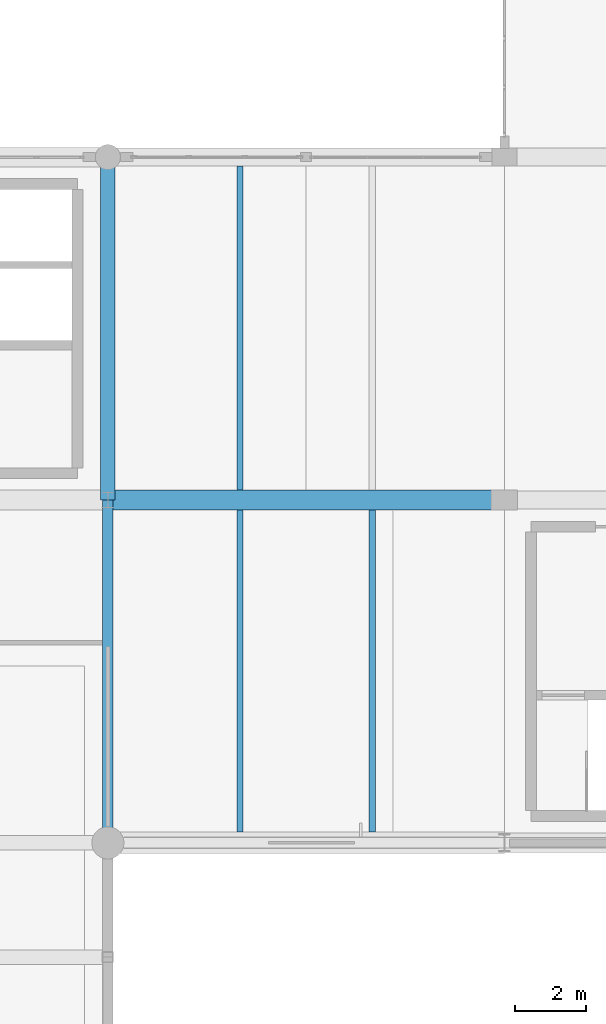
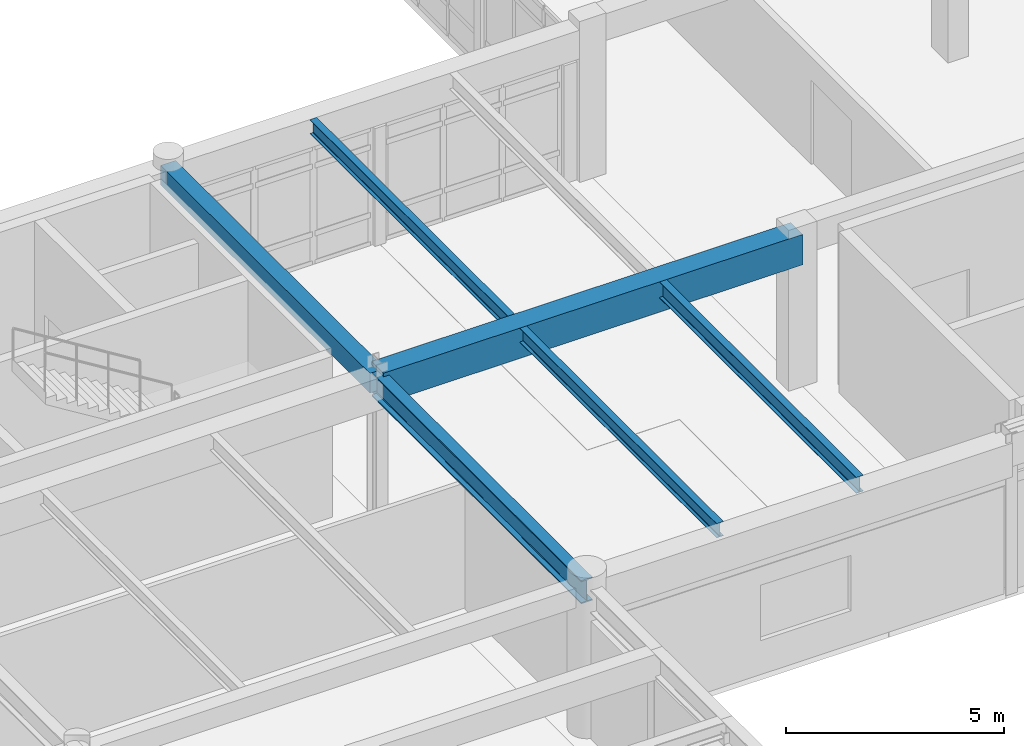
# One storey, part 27 of 80: 6 beams.
"""IFC4 building model written with IfcOpenShell, lengths in metres."""

from ifc_helpers import new_model, si_unit, direction, frame, origin, origin_2d, place, context, subcontext, project, spatial, rectangle, i_section, extrude, material, material_profile, profile_set, type_object, element, save


model = new_model("IFC4")

# Units and contexts
model_context = context("Model", 3, precision=1e-05, world=origin(), true_north=direction((0.0, 1.0)))
body_context = subcontext(model_context, "Body", "Model", "MODEL_VIEW")
ifc_project = project(units=[si_unit("LENGTHUNIT", "METRE"), si_unit("AREAUNIT", "SQUARE_METRE"), si_unit("VOLUMEUNIT", "CUBIC_METRE"), si_unit("PLANEANGLEUNIT", "RADIAN"), si_unit("MASSUNIT", "GRAM", prefix="KILO")], contexts=[model_context])

# Site, building, storey
site_placement = place(None, origin())
site = spatial("IfcSite", under=ifc_project, at=site_placement, CompositionType="ELEMENT")
building_placement = place(site_placement, origin())
building = spatial("IfcBuilding", under=site, at=building_placement, Name="Fikremerkos Civic Library", CompositionType="ELEMENT")
storey_placement = place(building_placement, frame((0.0, 0.0, 9.89990234375)))
storey = spatial("IfcBuildingStorey", under=building, at=storey_placement, Name="L02", CompositionType="ELEMENT", Elevation=9.89990234375)

# Beams
ifc_material_1 = material(Name="Steel S355", Category="steel")
ifc_material_profile_1 = material_profile(ifc_material_1, i_section(OverallWidth=0.18994140625, OverallDepth=0.449951171875, WebThickness=0.009521484375, FlangeThickness=0.0146484375, FilletRadius=0.02099609375, at=origin_2d()), Name="IPE 450")
ifc_profile_set_1 = profile_set([ifc_material_profile_1], Name="Steel S355")
beam_type_1 = type_object("IfcBeamType", Name="Floor joist JS-07 IPE 450", PredefinedType="JOIST", material=ifc_profile_set_1)
beam_1_placement = place(storey_placement, frame((121.10009765625, 12.300048828125, 4.03515625), z_axis=(0.0, 1.0, 0.0), x_axis=(-1.0, 0.0, 0.0)))
element("IfcBeam", 1, at=beam_1_placement, inside=storey, type_object=beam_type_1, Name="Floor joist JS-07 L02 #521", PredefinedType="JOIST", context=body_context, shape_type="SweptSolid", body=[
    extrude(i_section(OverallWidth=0.18994140625, OverallDepth=0.449951171875, WebThickness=0.009521484375, FlangeThickness=0.0146484375, FilletRadius=0.02099609375, at=origin_2d()), origin(), (0.0, 0.0, 1.0), 9.02490234375),
])
ifc_material_profile_2 = material_profile(ifc_material_1, i_section(OverallWidth=0.179931640625, OverallDepth=0.39990234375, WebThickness=0.008544921875, FlangeThickness=0.013427734375, FilletRadius=0.02099609375, at=origin_2d()), Name="IPE 400")
ifc_profile_set_2 = profile_set([ifc_material_profile_2], Name="Steel S355")
beam_type_2 = type_object("IfcBeamType", Name="Floor joist JS-08 IPE 400", PredefinedType="JOIST", material=ifc_profile_set_2)
beam_2_placement = place(storey_placement, frame((117.39990234375, 12.300048828125, 4.06005859375), z_axis=(0.0, 1.0, 0.0), x_axis=(-1.0, 0.0, 0.0)))
element("IfcBeam", 2, at=beam_2_placement, inside=storey, type_object=beam_type_2, Name="Floor joist JS-08 L02 #520", PredefinedType="JOIST", context=body_context, shape_type="SweptSolid", body=[
    extrude(i_section(OverallWidth=0.179931640625, OverallDepth=0.39990234375, WebThickness=0.008544921875, FlangeThickness=0.013427734375, FilletRadius=0.02099609375, at=origin_2d()), origin(), (0.0, 0.0, 1.0), 9.02490234375),
])
beam_3_placement = place(storey_placement, frame((117.39990234375, 21.875, 4.06005859375), z_axis=(0.0, 1.0, 0.0), x_axis=(-1.0, 0.0, 0.0)))
element("IfcBeam", 3, at=beam_3_placement, inside=storey, type_object=beam_type_2, Name="Floor joist JS-08 L02 #522", PredefinedType="JOIST", context=body_context, shape_type="SweptSolid", body=[
    extrude(i_section(OverallWidth=0.179931640625, OverallDepth=0.39990234375, WebThickness=0.008544921875, FlangeThickness=0.013427734375, FilletRadius=0.02099609375, at=origin_2d()), origin(), (0.0, 0.0, 1.0), 9.074951171875),
])
ifc_material_2 = material(Name="Concrete C40/50", Category="concrete")
ifc_material_profile_3 = material_profile(ifc_material_2, rectangle(XDim=0.550048828125, YDim=0.85009765625, at=origin_2d()), Name="RC 550x850")
ifc_profile_set_3 = profile_set([ifc_material_profile_3], Name="Concrete C40/50")
beam_type_3 = type_object("IfcBeamType", Name="Primary girder BM-03 RC 550x850", PredefinedType="BEAM", material=ifc_profile_set_3)
beam_4_placement = place(storey_placement, frame((113.699951171875, 21.60009765625, 3.835205078125), z_axis=(1.0, 0.0, 0.0), x_axis=(0.0, 1.0, 0.0)))
element("IfcBeam", 4, at=beam_4_placement, inside=storey, type_object=beam_type_3, Name="Primary girder BM-03 L02 grid F", PredefinedType="BEAM", context=body_context, shape_type="SweptSolid", body=[
    extrude(rectangle(XDim=0.550048828125, YDim=0.85009765625, at=origin_2d()), origin(), (0.0, 0.0, 1.0), 11.10009765625),
])
ifc_material_profile_4 = material_profile(ifc_material_1, i_section(OverallWidth=0.300048828125, OverallDepth=0.64990234375, WebThickness=0.01611328125, FlangeThickness=0.031005859375, FilletRadius=0.027099609375, at=origin_2d()), Name="HEB 650")
ifc_profile_set_4 = profile_set([ifc_material_profile_4], Name="Steel S355")
beam_type_4 = type_object("IfcBeamType", Name="Primary girder BM-12 HEB 650", PredefinedType="BEAM", material=ifc_profile_set_4)
beam_5_placement = place(storey_placement, frame((113.699951171875, 12.0, 3.835205078125), z_axis=(0.0, 1.0, 0.0), x_axis=(-1.0, 0.0, 0.0)))
element("IfcBeam", 5, at=beam_5_placement, inside=storey, type_object=beam_type_4, Name="Primary girder BM-12 L02 grid 10", PredefinedType="BEAM", context=body_context, shape_type="SweptSolid", body=[
    extrude(i_section(OverallWidth=0.300048828125, OverallDepth=0.64990234375, WebThickness=0.01611328125, FlangeThickness=0.031005859375, FilletRadius=0.027099609375, at=origin_2d()), origin(), (0.0, 0.0, 1.0), 9.60009765625),
])
ifc_material_profile_5 = material_profile(ifc_material_2, rectangle(XDim=0.39990234375, YDim=0.550048828125, at=origin_2d()), Name="RC 400x550")
ifc_profile_set_5 = profile_set([ifc_material_profile_5], Name="Concrete C40/50")
beam_type_5 = type_object("IfcBeamType", Name="Primary girder BM-26 RC 400x550", PredefinedType="BEAM", material=ifc_profile_set_5)
beam_6_placement = place(storey_placement, frame((113.699951171875, 21.60009765625, 3.885009765625), z_axis=(0.0, 1.0, 0.0), x_axis=(-1.0, 0.0, 0.0)))
element("IfcBeam", 6, at=beam_6_placement, inside=storey, type_object=beam_type_5, Name="Primary girder BM-26 L02 grid 10", PredefinedType="BEAM", context=body_context, shape_type="SweptSolid", body=[
    extrude(rectangle(XDim=0.39990234375, YDim=0.550048828125, at=origin_2d()), origin(), (0.0, 0.0, 1.0), 9.599853515625),
])

save(model, "model.ifc")
